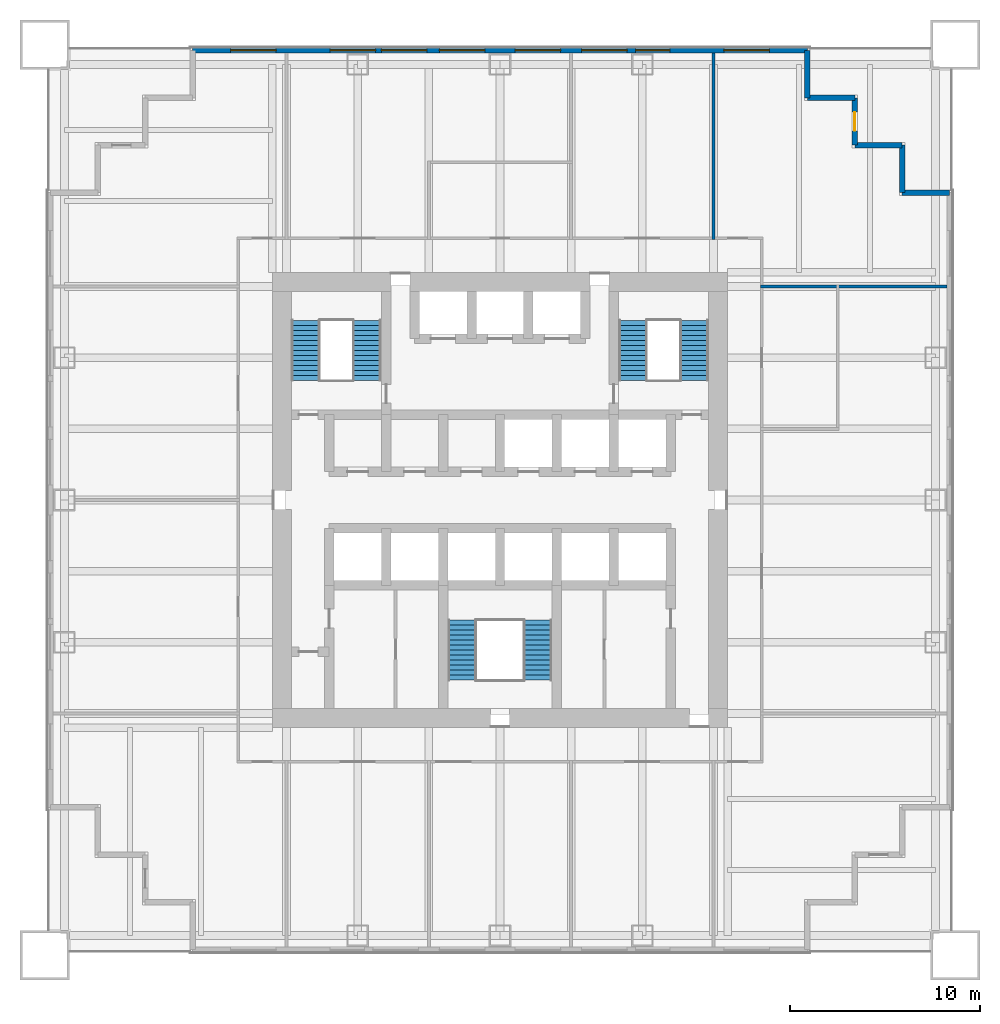
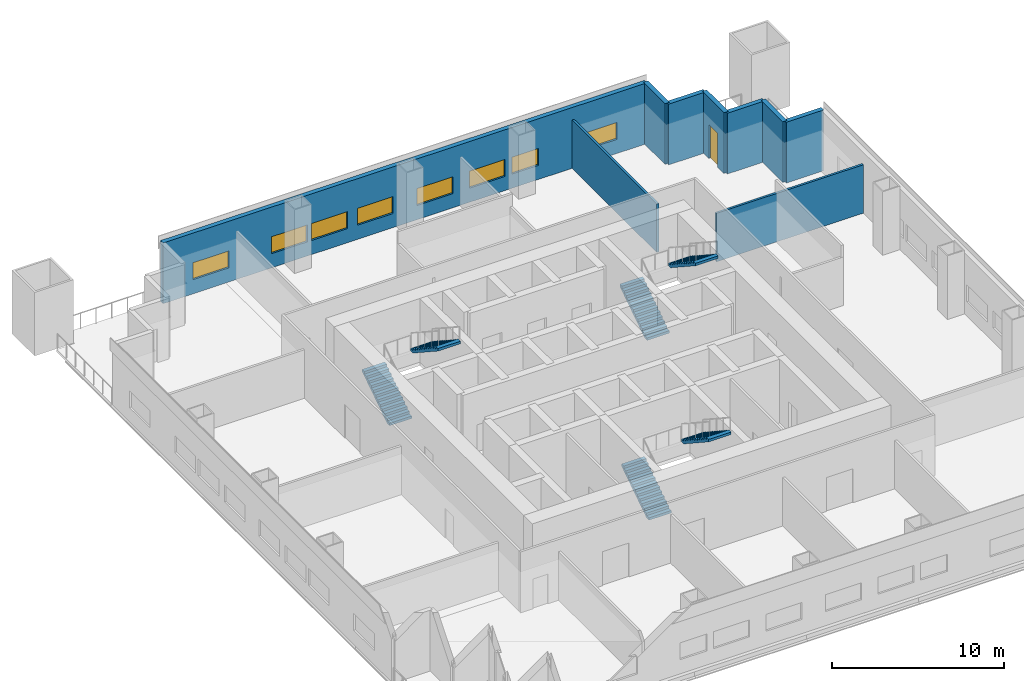
# One storey, part 5 of 7: 9 walls, 8 windows, 6 stair flights, 1 door, 9 openings, 3 elements without a shape of their own.
"""IFC4 building model written with IfcOpenShell, lengths in metres."""

from ifc_helpers import new_model, si_unit, direction, frame, frame_2d, origin, place, context, subcontext, project, spatial, polyline, rectangle, outline, extrude, material, layer, layer_set, type_object, element, fill, aggregate, save


model = new_model("IFC4")

# Units and contexts
model_context = context("Model", 3, precision=1e-05, world=origin(), true_north=direction((0.0, 1.0)))
body_context = subcontext(model_context, "Body", "Model", "MODEL_VIEW")
ifc_project = project(units=[si_unit("LENGTHUNIT", "METRE"), si_unit("AREAUNIT", "SQUARE_METRE"), si_unit("VOLUMEUNIT", "CUBIC_METRE"), si_unit("PLANEANGLEUNIT", "RADIAN"), si_unit("MASSUNIT", "GRAM", prefix="KILO")], contexts=[model_context])

# Site, building, storey
site_placement = place(None, origin())
site = spatial("IfcSite", under=ifc_project, at=site_placement, CompositionType="ELEMENT")
building_placement = place(site_placement, origin())
building = spatial("IfcBuilding", under=site, at=building_placement, Name="Tarangal Relay Tower", CompositionType="ELEMENT")
storey_placement = place(building_placement, frame((0.0, 0.0, 126.89990234375)))
storey = spatial("IfcBuildingStorey", under=building, at=storey_placement, Name="L25", CompositionType="ELEMENT", Elevation=126.89990234375)

# Wall, openings, windows
ifc_material_1 = material(Name="Insulated precast concrete fc' 40 MPa", Category="concrete")
ifc_layer_1 = layer(ifc_material_1, 0.300048828125)
ifc_layer_set_1 = layer_set([ifc_layer_1], Name="Insulated precast concrete fc' 40 MPa")
wall_type_1 = type_object("IfcWallType", Name="Facade wall precast 300", PredefinedType="SOLIDWALL", material=ifc_layer_set_1)
wall_1_placement = place(storey_placement, frame((-16.199951171875, 23.699951171875, 0.0), z_axis=(0.0, 0.0, 1.0), x_axis=(1.0, 0.0, 0.0)))
wall_1 = element("IfcWall", 1, at=wall_1_placement, inside=storey, type_object=wall_type_1, Name="Facade wall N facade L25", PredefinedType="SOLIDWALL", context=body_context, shape_type="SweptSolid", body=[
    extrude(rectangle(XDim=32.39990234375, YDim=0.300048828125, at=frame_2d((16.199951171875, 0.0))), origin(), (0.0, 0.0, 1.0), 4.300048828125),
])
opening_1_placement = place(wall_1_placement, frame((2.0, 0.0, 1.0)))
opening_1 = element("IfcOpeningElement", 2, at=opening_1_placement, cuts=wall_1, Name="Opening WN1", PredefinedType="OPENING", context=body_context, shape_type="SweptSolid", body=[
    extrude(rectangle(XDim=2.39990234375, YDim=1.199951171875, at=frame_2d((1.199951171875, 0.60009765625))), frame((0.0, 0.159912109375, 0.0), z_axis=(0.0, -1.0, 0.0), x_axis=(1.0, 0.0, 0.0)), (0.0, 0.0, 1.0), 0.320068359375),
])
opening_2_placement = place(wall_1_placement, frame((7.25, 0.0, 1.0)))
opening_2 = element("IfcOpeningElement", 3, at=opening_2_placement, cuts=wall_1, Name="Opening WN1", PredefinedType="OPENING", context=body_context, shape_type="SweptSolid", body=[
    extrude(rectangle(XDim=2.39990234375, YDim=1.199951171875, at=frame_2d((1.199951171875, 0.60009765625))), frame((0.0, 0.159912109375, 0.0), z_axis=(0.0, -1.0, 0.0), x_axis=(1.0, 0.0, 0.0)), (0.0, 0.0, 1.0), 0.320068359375),
])
opening_3_placement = place(wall_1_placement, frame((9.949951171875, 0.0, 1.0)))
opening_3 = element("IfcOpeningElement", 4, at=opening_3_placement, cuts=wall_1, Name="Opening WN1", PredefinedType="OPENING", context=body_context, shape_type="SweptSolid", body=[
    extrude(rectangle(XDim=2.39990234375, YDim=1.199951171875, at=frame_2d((1.199951171875, 0.60009765625))), frame((0.0, 0.159912109375, 0.0), z_axis=(0.0, -1.0, 0.0), x_axis=(1.0, 0.0, 0.0)), (0.0, 0.0, 1.0), 0.320068359375),
])
opening_4_placement = place(wall_1_placement, frame((13.0, 0.0, 1.0)))
opening_4 = element("IfcOpeningElement", 5, at=opening_4_placement, cuts=wall_1, Name="Opening WN1", PredefinedType="OPENING", context=body_context, shape_type="SweptSolid", body=[
    extrude(rectangle(XDim=2.39990234375, YDim=1.199951171875, at=frame_2d((1.199951171875, 0.60009765625))), frame((0.0, 0.159912109375, 0.0), z_axis=(0.0, -1.0, 0.0), x_axis=(1.0, 0.0, 0.0)), (0.0, 0.0, 1.0), 0.320068359375),
])
opening_5_placement = place(wall_1_placement, frame((17.0, 0.0, 1.0)))
opening_5 = element("IfcOpeningElement", 6, at=opening_5_placement, cuts=wall_1, Name="Opening WN1", PredefinedType="OPENING", context=body_context, shape_type="SweptSolid", body=[
    extrude(rectangle(XDim=2.39990234375, YDim=1.199951171875, at=frame_2d((1.199951171875, 0.60009765625))), frame((0.0, 0.159912109375, 0.0), z_axis=(0.0, -1.0, 0.0), x_axis=(1.0, 0.0, 0.0)), (0.0, 0.0, 1.0), 0.320068359375),
])
opening_6_placement = place(wall_1_placement, frame((20.5, 0.0, 1.0)))
opening_6 = element("IfcOpeningElement", 7, at=opening_6_placement, cuts=wall_1, Name="Opening WN1", PredefinedType="OPENING", context=body_context, shape_type="SweptSolid", body=[
    extrude(rectangle(XDim=2.39990234375, YDim=1.199951171875, at=frame_2d((1.199951171875, 0.60009765625))), frame((0.0, 0.159912109375, 0.0), z_axis=(0.0, -1.0, 0.0), x_axis=(1.0, 0.0, 0.0)), (0.0, 0.0, 1.0), 0.320068359375),
])
opening_7_placement = place(wall_1_placement, frame((23.35009765625, 0.0, 1.0)))
opening_7 = element("IfcOpeningElement", 8, at=opening_7_placement, cuts=wall_1, Name="Opening WN5", PredefinedType="OPENING", context=body_context, shape_type="SweptSolid", body=[
    extrude(rectangle(XDim=1.800048828125, YDim=1.199951171875, at=frame_2d((0.89990234375, 0.60009765625))), frame((0.0, 0.159912109375, 0.0), z_axis=(0.0, -1.0, 0.0), x_axis=(1.0, 0.0, 0.0)), (0.0, 0.0, 1.0), 0.320068359375),
])
opening_8_placement = place(wall_1_placement, frame((28.0, 0.0, 1.0)))
opening_8 = element("IfcOpeningElement", 9, at=opening_8_placement, cuts=wall_1, Name="Opening WN1", PredefinedType="OPENING", context=body_context, shape_type="SweptSolid", body=[
    extrude(rectangle(XDim=2.39990234375, YDim=1.199951171875, at=frame_2d((1.199951171875, 0.60009765625))), frame((0.0, 0.159912109375, 0.0), z_axis=(0.0, -1.0, 0.0), x_axis=(1.0, 0.0, 0.0)), (0.0, 0.0, 1.0), 0.320068359375),
])
ifc_material_2 = material(Name="Dark tinted double glazing in black aluminium frame", Category="aluminium")
window_type_1 = type_object("IfcWindowType", Name="Ribbon window 1800 x 1200", PartitioningType="SINGLE_PANEL", PredefinedType="WINDOW", material=ifc_material_2)
window_1_placement = place(opening_7_placement, origin())
window_1 = element("IfcWindow", 10, at=window_1_placement, inside=storey, type_object=window_type_1, Name="Ribbon window WN5 N facade L25", OverallHeight=1.199951171875, OverallWidth=1.800048828125, PartitioningType="SINGLE_PANEL", PredefinedType="WINDOW", context=body_context, shape_type="SweptSolid", body=[
    extrude(rectangle(XDim=1.800048828125, YDim=1.199951171875, at=frame_2d((0.89990234375, 0.60009765625))), frame((0.0, 0.030029296875, 0.0), z_axis=(0.0, -1.0, 0.0), x_axis=(1.0, 0.0, 0.0)), (0.0, 0.0, 1.0), 0.06005859375),
])
fill(opening_7, window_1)
window_type_2 = type_object("IfcWindowType", Name="Ribbon window 2400 x 1200", PartitioningType="SINGLE_PANEL", PredefinedType="WINDOW", material=ifc_material_2)
window_2_placement = place(opening_1_placement, origin())
window_2 = element("IfcWindow", 11, at=window_2_placement, inside=storey, type_object=window_type_2, Name="Ribbon window WN1 N facade L25", OverallHeight=1.199951171875, OverallWidth=2.39990234375, PartitioningType="SINGLE_PANEL", PredefinedType="WINDOW", context=body_context, shape_type="SweptSolid", body=[
    extrude(rectangle(XDim=2.39990234375, YDim=1.199951171875, at=frame_2d((1.199951171875, 0.60009765625))), frame((0.0, 0.030029296875, 0.0), z_axis=(0.0, -1.0, 0.0), x_axis=(1.0, 0.0, 0.0)), (0.0, 0.0, 1.0), 0.06005859375),
])
fill(opening_1, window_2)
window_3_placement = place(opening_2_placement, origin())
window_3 = element("IfcWindow", 12, at=window_3_placement, inside=storey, type_object=window_type_2, Name="Ribbon window WN1 N facade L25", OverallHeight=1.199951171875, OverallWidth=2.39990234375, PartitioningType="SINGLE_PANEL", PredefinedType="WINDOW", context=body_context, shape_type="SweptSolid", body=[
    extrude(rectangle(XDim=2.39990234375, YDim=1.199951171875, at=frame_2d((1.199951171875, 0.60009765625))), frame((0.0, 0.030029296875, 0.0), z_axis=(0.0, -1.0, 0.0), x_axis=(1.0, 0.0, 0.0)), (0.0, 0.0, 1.0), 0.06005859375),
])
fill(opening_2, window_3)
window_4_placement = place(opening_3_placement, origin())
window_4 = element("IfcWindow", 13, at=window_4_placement, inside=storey, type_object=window_type_2, Name="Ribbon window WN1 N facade L25", OverallHeight=1.199951171875, OverallWidth=2.39990234375, PartitioningType="SINGLE_PANEL", PredefinedType="WINDOW", context=body_context, shape_type="SweptSolid", body=[
    extrude(rectangle(XDim=2.39990234375, YDim=1.199951171875, at=frame_2d((1.199951171875, 0.60009765625))), frame((0.0, 0.030029296875, 0.0), z_axis=(0.0, -1.0, 0.0), x_axis=(1.0, 0.0, 0.0)), (0.0, 0.0, 1.0), 0.06005859375),
])
fill(opening_3, window_4)
window_5_placement = place(opening_4_placement, origin())
window_5 = element("IfcWindow", 14, at=window_5_placement, inside=storey, type_object=window_type_2, Name="Ribbon window WN1 N facade L25", OverallHeight=1.199951171875, OverallWidth=2.39990234375, PartitioningType="SINGLE_PANEL", PredefinedType="WINDOW", context=body_context, shape_type="SweptSolid", body=[
    extrude(rectangle(XDim=2.39990234375, YDim=1.199951171875, at=frame_2d((1.199951171875, 0.60009765625))), frame((0.0, 0.030029296875, 0.0), z_axis=(0.0, -1.0, 0.0), x_axis=(1.0, 0.0, 0.0)), (0.0, 0.0, 1.0), 0.06005859375),
])
fill(opening_4, window_5)
window_6_placement = place(opening_5_placement, origin())
window_6 = element("IfcWindow", 15, at=window_6_placement, inside=storey, type_object=window_type_2, Name="Ribbon window WN1 N facade L25", OverallHeight=1.199951171875, OverallWidth=2.39990234375, PartitioningType="SINGLE_PANEL", PredefinedType="WINDOW", context=body_context, shape_type="SweptSolid", body=[
    extrude(rectangle(XDim=2.39990234375, YDim=1.199951171875, at=frame_2d((1.199951171875, 0.60009765625))), frame((0.0, 0.030029296875, 0.0), z_axis=(0.0, -1.0, 0.0), x_axis=(1.0, 0.0, 0.0)), (0.0, 0.0, 1.0), 0.06005859375),
])
fill(opening_5, window_6)
window_7_placement = place(opening_6_placement, origin())
window_7 = element("IfcWindow", 16, at=window_7_placement, inside=storey, type_object=window_type_2, Name="Ribbon window WN1 N facade L25", OverallHeight=1.199951171875, OverallWidth=2.39990234375, PartitioningType="SINGLE_PANEL", PredefinedType="WINDOW", context=body_context, shape_type="SweptSolid", body=[
    extrude(rectangle(XDim=2.39990234375, YDim=1.199951171875, at=frame_2d((1.199951171875, 0.60009765625))), frame((0.0, 0.030029296875, 0.0), z_axis=(0.0, -1.0, 0.0), x_axis=(1.0, 0.0, 0.0)), (0.0, 0.0, 1.0), 0.06005859375),
])
fill(opening_6, window_7)
window_8_placement = place(opening_8_placement, origin())
window_8 = element("IfcWindow", 17, at=window_8_placement, inside=storey, type_object=window_type_2, Name="Ribbon window WN1 N facade L25", OverallHeight=1.199951171875, OverallWidth=2.39990234375, PartitioningType="SINGLE_PANEL", PredefinedType="WINDOW", context=body_context, shape_type="SweptSolid", body=[
    extrude(rectangle(XDim=2.39990234375, YDim=1.199951171875, at=frame_2d((1.199951171875, 0.60009765625))), frame((0.0, 0.030029296875, 0.0), z_axis=(0.0, -1.0, 0.0), x_axis=(1.0, 0.0, 0.0)), (0.0, 0.0, 1.0), 0.06005859375),
])
fill(opening_8, window_8)

# Walls
for number, where, z_axis, x_axis, name in (
    (18, (16.199951171875, 23.699951171875, 0.0), (0.0, 0.0, 1.0), (0.0, -1.0, 0.0), "Facade wall N facade L25"),
    (19, (16.199951171875, 21.199951171875, 0.0), (0.0, 0.0, 1.0), (1.0, 0.0, 0.0), "Facade wall N facade L25"),
):
    element("IfcWall", number, at=place(storey_placement, frame(where, z_axis=z_axis, x_axis=x_axis)), inside=storey, type_object=wall_type_1, Name=name, PredefinedType="SOLIDWALL", context=body_context, shape_type="SweptSolid", body=[
        extrude(rectangle(XDim=2.5, YDim=0.300048828125, at=frame_2d((1.25, 0.0))), origin(), (0.0, 0.0, 1.0), 4.300048828125),
    ])

# Wall, opening, door
wall_2_placement = place(storey_placement, frame((18.699951171875, 21.199951171875, 0.0), z_axis=(0.0, 0.0, 1.0), x_axis=(0.0, -1.0, 0.0)))
wall_2 = element("IfcWall", 20, at=wall_2_placement, inside=storey, type_object=wall_type_1, Name="Facade wall N facade L25", PredefinedType="SOLIDWALL", context=body_context, shape_type="SweptSolid", body=[
    extrude(rectangle(XDim=2.5, YDim=0.300048828125, at=frame_2d((1.25, 0.0))), origin(), (0.0, 0.0, 1.0), 4.300048828125),
])
opening_9_placement = place(wall_2_placement, frame((0.75, 0.0, 0.0)))
opening_9 = element("IfcOpeningElement", 21, at=opening_9_placement, cuts=wall_2, Name="Opening TD1", PredefinedType="OPENING", context=body_context, shape_type="SweptSolid", body=[
    extrude(rectangle(XDim=1.0, YDim=2.39990234375, at=frame_2d((0.5, 1.199951171875))), frame((0.0, 0.159912109375, 0.0), z_axis=(0.0, -1.0, 0.0), x_axis=(1.0, 0.0, 0.0)), (0.0, 0.0, 1.0), 0.320068359375),
])
ifc_material_3 = material(Name="Aluminium glazed door", Category="aluminium")
door_type = type_object("IfcDoorType", Name="Terrace door 1000 x 2400", OperationType="SINGLE_SWING_RIGHT", PredefinedType="DOOR", material=ifc_material_3)
door_placement = place(opening_9_placement, origin())
door = element("IfcDoor", 22, at=door_placement, inside=storey, type_object=door_type, Name="Terrace door TD1 NE L25", OperationType="SINGLE_SWING_RIGHT", OverallHeight=2.39990234375, OverallWidth=1.0, PredefinedType="DOOR", context=body_context, shape_type="SweptSolid", body=[
    extrude(rectangle(XDim=1.0, YDim=2.39990234375, at=frame_2d((0.5, 1.199951171875))), frame((0.0, 0.02490234375, 0.0), z_axis=(0.0, -1.0, 0.0), x_axis=(1.0, 0.0, 0.0)), (0.0, 0.0, 1.0), 0.050048828125),
])
fill(opening_9, door)

# Walls
for number, where, z_axis, x_axis, name in (
    (23, (18.699951171875, 18.699951171875, 0.0), (0.0, 0.0, 1.0), (1.0, 0.0, 0.0), "Facade wall N facade L25"),
    (24, (21.199951171875, 18.699951171875, 0.0), (0.0, 0.0, 1.0), (0.0, -1.0, 0.0), "Facade wall N facade L25"),
    (25, (21.199951171875, 16.199951171875, 0.0), (0.0, 0.0, 1.0), (1.0, 0.0, 0.0), "Facade wall N facade L25"),
):
    element("IfcWall", number, at=place(storey_placement, frame(where, z_axis=z_axis, x_axis=x_axis)), inside=storey, type_object=wall_type_1, Name=name, PredefinedType="SOLIDWALL", context=body_context, shape_type="SweptSolid", body=[
        extrude(rectangle(XDim=2.5, YDim=0.300048828125, at=frame_2d((1.25, 0.0))), origin(), (0.0, 0.0, 1.0), 4.300048828125),
    ])
ifc_material_4 = material(Name="Gypsum board on steel studs", Category="steel")
ifc_layer_2 = layer(ifc_material_4, 0.14990234375)
ifc_layer_set_2 = layer_set([ifc_layer_2], Name="Partition 150")
wall_type_2 = type_object("IfcWallType", Name="Partition 150", PredefinedType="PARTITIONING", material=ifc_layer_set_2)
for number, where, z_axis, x_axis, name in (
    (26, (13.72509765625, 11.25, 0.0), (0.0, 0.0, 1.0), (1.0, 0.0, 0.0), "Partition PT1 L25"),
    (27, (11.25, 13.72509765625, 0.0), (0.0, 0.0, 1.0), (0.0, 1.0, 0.0), "Partition PT1 L25"),
):
    element("IfcWall", number, at=place(storey_placement, frame(where, z_axis=z_axis, x_axis=x_axis)), inside=storey, type_object=wall_type_2, Name=name, PredefinedType="PARTITIONING", context=body_context, shape_type="SweptSolid", body=[
        extrude(rectangle(XDim=9.824951171875, YDim=0.14990234375, at=frame_2d((4.91259765625, 0.0))), origin(), (0.0, 0.0, 1.0), 3.431396484375),
    ])

# Stair, stair flights
ifc_material_5 = material(Name="Steel ASTM A992 stair flight", Category="steel")
stair_type = type_object("IfcStairType", Name="Core stair 1500", PredefinedType="HALF_TURN_STAIR", material=ifc_material_5)
stair_1_placement = place(storey_placement, origin())
stair_1 = element("IfcStair", 28, at=stair_1_placement, inside=storey, type_object=stair_type, Name="Stair ST-A L25", PredefinedType="HALF_TURN_STAIR")
stair_flight_type = type_object("IfcStairFlightType", Name="Steel stair flight 1500, 13 risers 173 x 264", PredefinedType="STRAIGHT", material=ifc_material_5)
stair_flight_1_placement = place(storey_placement, frame((-10.25, 6.300048828125, 0.0), z_axis=(0.0, 0.0, 1.0), x_axis=(0.0, 1.0, 0.0)))
stair_flight_1 = element("IfcStairFlight", 29, at=stair_flight_1_placement, type_object=stair_flight_type, Name="ST-A flight 1", NumberOfRisers=13, NumberOfTreads=12, PredefinedType="STRAIGHT", RiserHeight=0.173076923, TreadLength=0.264, context=body_context, shape_type="SweptSolid", body=[
    extrude(outline(polyline([(0.0, 0.0), (0.0, 0.173095703125), (0.263916015625, 0.173095703125), (0.263916015625, 0.34619140625), (0.528076171875, 0.34619140625), (0.528076171875, 0.519287109375), (0.7919921875, 0.519287109375), (0.7919921875, 0.6923828125), (1.055908203125, 0.6923828125), (1.055908203125, 0.865478515625), (1.320068359375, 0.865478515625), (1.320068359375, 1.03857421875), (1.583984375, 1.03857421875), (1.583984375, 1.21142578125), (1.847900390625, 1.21142578125), (1.847900390625, 1.384521484375), (2.112060546875, 1.384521484375), (2.112060546875, 1.5576171875), (2.3759765625, 1.5576171875), (2.3759765625, 1.730712890625), (2.639892578125, 1.730712890625), (2.639892578125, 1.90380859375), (2.904052734375, 1.90380859375), (2.904052734375, 2.076904296875), (3.16796875, 2.076904296875), (3.16796875, 2.25), (3.16796875, 1.897705078125), (0.2734375, 0.0), (0.0, 0.0)])), frame((0.0, 0.75, 0.0), z_axis=(0.0, -1.0, 0.0), x_axis=(1.0, 0.0, 0.0)), (0.0, 0.0, 1.0), 1.5),
])
stair_flight_2_placement = place(storey_placement, frame((-7.0, 9.468017578125, 2.25), z_axis=(0.0, 0.0, 1.0), x_axis=(0.0, -1.0, 0.0)))
stair_flight_2 = element("IfcStairFlight", 30, at=stair_flight_2_placement, type_object=stair_flight_type, Name="ST-A flight 2", NumberOfRisers=13, NumberOfTreads=12, PredefinedType="STRAIGHT", RiserHeight=0.173076923, TreadLength=0.264, context=body_context, shape_type="SweptSolid", body=[
    extrude(outline(polyline([(0.0, 0.0), (0.0, 0.173095703125), (0.263916015625, 0.173095703125), (0.263916015625, 0.34619140625), (0.528076171875, 0.34619140625), (0.528076171875, 0.519287109375), (0.7919921875, 0.519287109375), (0.7919921875, 0.6923828125), (1.055908203125, 0.6923828125), (1.055908203125, 0.865478515625), (1.320068359375, 0.865478515625), (1.320068359375, 1.03857421875), (1.583984375, 1.03857421875), (1.583984375, 1.21142578125), (1.847900390625, 1.21142578125), (1.847900390625, 1.384521484375), (2.112060546875, 1.384521484375), (2.112060546875, 1.5576171875), (2.3759765625, 1.5576171875), (2.3759765625, 1.730712890625), (2.639892578125, 1.730712890625), (2.639892578125, 1.90380859375), (2.904052734375, 1.90380859375), (2.904052734375, 2.076904296875), (3.16796875, 2.076904296875), (3.16796875, 2.25), (3.16796875, 1.897705078125), (0.2734375, 0.0), (0.0, 0.0)])), frame((0.0, 0.75, 0.0), z_axis=(0.0, -1.0, 0.0), x_axis=(1.0, 0.0, 0.0)), (0.0, 0.0, 1.0), 1.5),
])
aggregate(stair_1, [stair_flight_1, stair_flight_2])

stair_2_placement = place(storey_placement, origin())
stair_2 = element("IfcStair", 31, at=stair_2_placement, inside=storey, type_object=stair_type, Name="Stair ST-B L25", PredefinedType="HALF_TURN_STAIR")
stair_flight_3_placement = place(storey_placement, frame((7.0, 6.300048828125, 0.0), z_axis=(0.0, 0.0, 1.0), x_axis=(0.0, 1.0, 0.0)))
stair_flight_3 = element("IfcStairFlight", 32, at=stair_flight_3_placement, type_object=stair_flight_type, Name="ST-B flight 1", NumberOfRisers=13, NumberOfTreads=12, PredefinedType="STRAIGHT", RiserHeight=0.173076923, TreadLength=0.264, context=body_context, shape_type="SweptSolid", body=[
    extrude(outline(polyline([(0.0, 0.0), (0.0, 0.173095703125), (0.263916015625, 0.173095703125), (0.263916015625, 0.34619140625), (0.528076171875, 0.34619140625), (0.528076171875, 0.519287109375), (0.7919921875, 0.519287109375), (0.7919921875, 0.6923828125), (1.055908203125, 0.6923828125), (1.055908203125, 0.865478515625), (1.320068359375, 0.865478515625), (1.320068359375, 1.03857421875), (1.583984375, 1.03857421875), (1.583984375, 1.21142578125), (1.847900390625, 1.21142578125), (1.847900390625, 1.384521484375), (2.112060546875, 1.384521484375), (2.112060546875, 1.5576171875), (2.3759765625, 1.5576171875), (2.3759765625, 1.730712890625), (2.639892578125, 1.730712890625), (2.639892578125, 1.90380859375), (2.904052734375, 1.90380859375), (2.904052734375, 2.076904296875), (3.16796875, 2.076904296875), (3.16796875, 2.25), (3.16796875, 1.897705078125), (0.2734375, 0.0), (0.0, 0.0)])), frame((0.0, 0.75, 0.0), z_axis=(0.0, -1.0, 0.0), x_axis=(1.0, 0.0, 0.0)), (0.0, 0.0, 1.0), 1.5),
])
stair_flight_4_placement = place(storey_placement, frame((10.25, 9.468017578125, 2.25), z_axis=(0.0, 0.0, 1.0), x_axis=(0.0, -1.0, 0.0)))
stair_flight_4 = element("IfcStairFlight", 33, at=stair_flight_4_placement, type_object=stair_flight_type, Name="ST-B flight 2", NumberOfRisers=13, NumberOfTreads=12, PredefinedType="STRAIGHT", RiserHeight=0.173076923, TreadLength=0.264, context=body_context, shape_type="SweptSolid", body=[
    extrude(outline(polyline([(0.0, 0.0), (0.0, 0.173095703125), (0.263916015625, 0.173095703125), (0.263916015625, 0.34619140625), (0.528076171875, 0.34619140625), (0.528076171875, 0.519287109375), (0.7919921875, 0.519287109375), (0.7919921875, 0.6923828125), (1.055908203125, 0.6923828125), (1.055908203125, 0.865478515625), (1.320068359375, 0.865478515625), (1.320068359375, 1.03857421875), (1.583984375, 1.03857421875), (1.583984375, 1.21142578125), (1.847900390625, 1.21142578125), (1.847900390625, 1.384521484375), (2.112060546875, 1.384521484375), (2.112060546875, 1.5576171875), (2.3759765625, 1.5576171875), (2.3759765625, 1.730712890625), (2.639892578125, 1.730712890625), (2.639892578125, 1.90380859375), (2.904052734375, 1.90380859375), (2.904052734375, 2.076904296875), (3.16796875, 2.076904296875), (3.16796875, 2.25), (3.16796875, 1.897705078125), (0.2734375, 0.0), (0.0, 0.0)])), frame((0.0, 0.75, 0.0), z_axis=(0.0, -1.0, 0.0), x_axis=(1.0, 0.0, 0.0)), (0.0, 0.0, 1.0), 1.5),
])
aggregate(stair_2, [stair_flight_3, stair_flight_4])

stair_3_placement = place(storey_placement, origin())
stair_3 = element("IfcStair", 34, at=stair_3_placement, inside=storey, type_object=stair_type, Name="Stair ST-C L25", PredefinedType="HALF_TURN_STAIR")
stair_flight_5_placement = place(storey_placement, frame((-2.0, -9.5, 0.0), z_axis=(0.0, 0.0, 1.0), x_axis=(0.0, 1.0, 0.0)))
stair_flight_5 = element("IfcStairFlight", 35, at=stair_flight_5_placement, type_object=stair_flight_type, Name="ST-C flight 1", NumberOfRisers=13, NumberOfTreads=12, PredefinedType="STRAIGHT", RiserHeight=0.173076923, TreadLength=0.264, context=body_context, shape_type="SweptSolid", body=[
    extrude(outline(polyline([(0.0, 0.0), (0.0, 0.173095703125), (0.263916015625, 0.173095703125), (0.263916015625, 0.34619140625), (0.528076171875, 0.34619140625), (0.528076171875, 0.519287109375), (0.7919921875, 0.519287109375), (0.7919921875, 0.6923828125), (1.055908203125, 0.6923828125), (1.055908203125, 0.865478515625), (1.320068359375, 0.865478515625), (1.320068359375, 1.03857421875), (1.583984375, 1.03857421875), (1.583984375, 1.21142578125), (1.847900390625, 1.21142578125), (1.847900390625, 1.384521484375), (2.112060546875, 1.384521484375), (2.112060546875, 1.5576171875), (2.3759765625, 1.5576171875), (2.3759765625, 1.730712890625), (2.639892578125, 1.730712890625), (2.639892578125, 1.90380859375), (2.904052734375, 1.90380859375), (2.904052734375, 2.076904296875), (3.16796875, 2.076904296875), (3.16796875, 2.25), (3.16796875, 1.897705078125), (0.2734375, 0.0), (0.0, 0.0)])), frame((0.0, 0.75, 0.0), z_axis=(0.0, -1.0, 0.0), x_axis=(1.0, 0.0, 0.0)), (0.0, 0.0, 1.0), 1.5),
])
stair_flight_6_placement = place(storey_placement, frame((2.0, -6.33203125, 2.25), z_axis=(0.0, 0.0, 1.0), x_axis=(0.0, -1.0, 0.0)))
stair_flight_6 = element("IfcStairFlight", 36, at=stair_flight_6_placement, type_object=stair_flight_type, Name="ST-C flight 2", NumberOfRisers=13, NumberOfTreads=12, PredefinedType="STRAIGHT", RiserHeight=0.173076923, TreadLength=0.264, context=body_context, shape_type="SweptSolid", body=[
    extrude(outline(polyline([(0.0, 0.0), (0.0, 0.173095703125), (0.263916015625, 0.173095703125), (0.263916015625, 0.34619140625), (0.528076171875, 0.34619140625), (0.528076171875, 0.519287109375), (0.7919921875, 0.519287109375), (0.7919921875, 0.6923828125), (1.055908203125, 0.6923828125), (1.055908203125, 0.865478515625), (1.320068359375, 0.865478515625), (1.320068359375, 1.03857421875), (1.583984375, 1.03857421875), (1.583984375, 1.21142578125), (1.847900390625, 1.21142578125), (1.847900390625, 1.384521484375), (2.112060546875, 1.384521484375), (2.112060546875, 1.5576171875), (2.3759765625, 1.5576171875), (2.3759765625, 1.730712890625), (2.639892578125, 1.730712890625), (2.639892578125, 1.90380859375), (2.904052734375, 1.90380859375), (2.904052734375, 2.076904296875), (3.16796875, 2.076904296875), (3.16796875, 2.25), (3.16796875, 1.897705078125), (0.2734375, 0.0), (0.0, 0.0)])), frame((0.0, 0.75, 0.0), z_axis=(0.0, -1.0, 0.0), x_axis=(1.0, 0.0, 0.0)), (0.0, 0.0, 1.0), 1.5),
])
aggregate(stair_3, [stair_flight_5, stair_flight_6])

save(model, "model.ifc")
